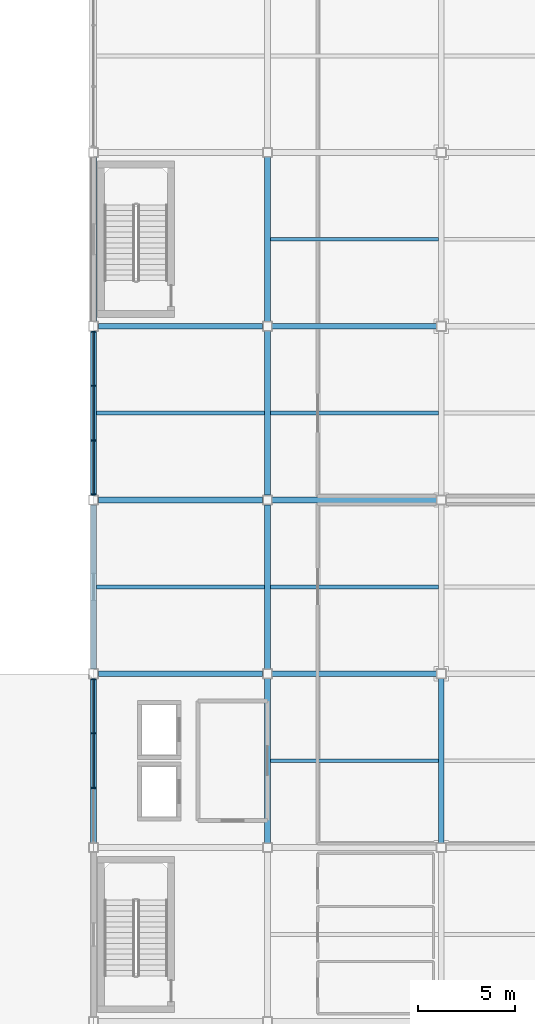
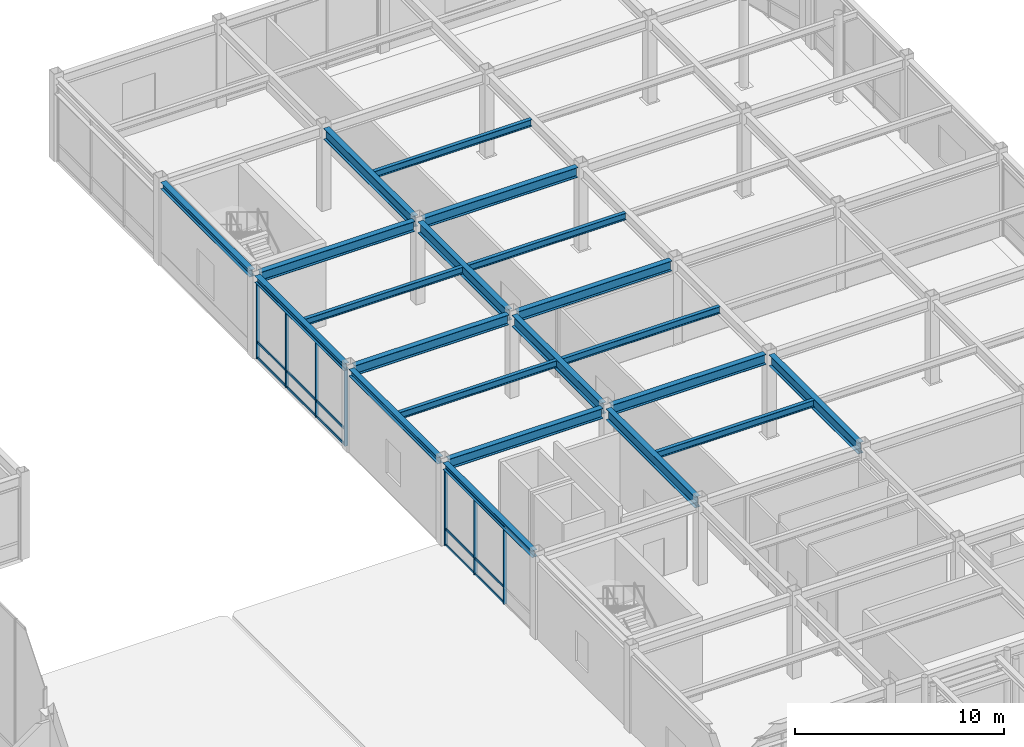
# One storey, part 60 of 123: 22 members, 21 beams, 2 elements without a shape of their own.
"""IFC4 building model written with IfcOpenShell, lengths in metres."""

from ifc_helpers import new_model, si_unit, direction, frame, origin, origin_2d, place, context, subcontext, project, spatial, rectangle, i_section, extrude, material, material_profile, profile_set, type_object, element, aggregate, save


model = new_model("IFC4")

# Units and contexts
model_context = context("Model", 3, precision=1e-05, world=origin(), true_north=direction((0.0, 1.0)))
body_context = subcontext(model_context, "Body", "Model", "MODEL_VIEW")
ifc_project = project(units=[si_unit("LENGTHUNIT", "METRE"), si_unit("AREAUNIT", "SQUARE_METRE"), si_unit("VOLUMEUNIT", "CUBIC_METRE"), si_unit("PLANEANGLEUNIT", "RADIAN"), si_unit("MASSUNIT", "GRAM", prefix="KILO")], contexts=[model_context])

# Site, building, storey
site_placement = place(None, origin())
site = spatial("IfcSite", under=ifc_project, at=site_placement, CompositionType="ELEMENT")
building_placement = place(site_placement, origin())
building = spatial("IfcBuilding", under=site, at=building_placement, Name="Suzunagisa Mobility Hub", CompositionType="ELEMENT")
storey_placement = place(building_placement, origin())
storey = spatial("IfcBuildingStorey", under=building, at=storey_placement, Name="L00", CompositionType="ELEMENT", Elevation=0.0)

# Curtain wall, members
ifc_material_1 = material(Name="Thermally Broken Anodized Aluminum and Low-E Glazing", Category="aluminium")
curtain_wall_type = type_object("IfcCurtainWallType", Name="Unitised Curtain Wall CW-47 8500x4400", PredefinedType="USERDEFINED", material=ifc_material_1)
curtain_wall_1_placement = place(storey_placement, origin())
curtain_wall_1 = element("IfcCurtainWall", 1, at=curtain_wall_1_placement, inside=storey, type_object=curtain_wall_type, Name="L00 Unitised Curtain Wall CW-181", ObjectType="UNITISED CURTAIN WALL", PredefinedType="USERDEFINED")
ifc_material_2 = material(Name="Anodized Aluminum 6063-T6", Category="aluminium")
ifc_material_profile_1 = material_profile(ifc_material_2, rectangle(XDim=0.06494140625, YDim=0.139892578125, at=origin_2d()), Name="TRAN-65x140")
ifc_profile_set_1 = profile_set([ifc_material_profile_1], Name="Anodized Aluminum 6063-T6")
member_type_1 = type_object("IfcMemberType", Name="Curtain Wall Framing CM-01 TRAN-65x140", PredefinedType="USERDEFINED", material=ifc_profile_set_1)
member_1_placement = place(storey_placement, frame((144.0, 88.68701171875, 0.032470703125), z_axis=(0.0, -1.0, 0.0), x_axis=(1.0, 0.0, 0.0)))
member_1 = element("IfcMember", 2, at=member_1_placement, type_object=member_type_1, Name="Curtain Wall Transom 181-T1.1", ObjectType="TRANSOM", PredefinedType="USERDEFINED", context=body_context, shape_type="SweptSolid", body=[
    extrude(rectangle(XDim=0.06494140625, YDim=0.139892578125, at=origin_2d()), origin(), (0.0, 0.0, 1.0), 2.73974609375),
])
member_2_placement = place(storey_placement, frame((144.0, 88.68701171875, 0.949951171875), z_axis=(0.0, -1.0, 0.0), x_axis=(1.0, 0.0, 0.0)))
member_2 = element("IfcMember", 3, at=member_2_placement, type_object=member_type_1, Name="Curtain Wall Transom 181-T1.2", ObjectType="TRANSOM", PredefinedType="USERDEFINED", context=body_context, shape_type="SweptSolid", body=[
    extrude(rectangle(XDim=0.06494140625, YDim=0.139892578125, at=origin_2d()), origin(), (0.0, 0.0, 1.0), 2.73974609375),
])
member_3_placement = place(storey_placement, frame((144.0, 88.68701171875, 4.407470703125), z_axis=(0.0, -1.0, 0.0), x_axis=(1.0, 0.0, 0.0)))
member_3 = element("IfcMember", 4, at=member_3_placement, type_object=member_type_1, Name="Curtain Wall Transom 181-T1.3", ObjectType="TRANSOM", PredefinedType="USERDEFINED", context=body_context, shape_type="SweptSolid", body=[
    extrude(rectangle(XDim=0.06494140625, YDim=0.139892578125, at=origin_2d()), origin(), (0.0, 0.0, 1.0), 2.73974609375),
])
member_4_placement = place(storey_placement, frame((144.0, 85.88623046875, 0.032470703125), z_axis=(0.0, -1.0, 0.0), x_axis=(1.0, 0.0, 0.0)))
member_4 = element("IfcMember", 5, at=member_4_placement, type_object=member_type_1, Name="Curtain Wall Transom 181-T2.1", ObjectType="TRANSOM", PredefinedType="USERDEFINED", context=body_context, shape_type="SweptSolid", body=[
    extrude(rectangle(XDim=0.06494140625, YDim=0.139892578125, at=origin_2d()), origin(), (0.0, 0.0, 1.0), 2.7724609375),
])
member_5_placement = place(storey_placement, frame((144.0, 85.88623046875, 0.949951171875), z_axis=(0.0, -1.0, 0.0), x_axis=(1.0, 0.0, 0.0)))
member_5 = element("IfcMember", 6, at=member_5_placement, type_object=member_type_1, Name="Curtain Wall Transom 181-T2.2", ObjectType="TRANSOM", PredefinedType="USERDEFINED", context=body_context, shape_type="SweptSolid", body=[
    extrude(rectangle(XDim=0.06494140625, YDim=0.139892578125, at=origin_2d()), origin(), (0.0, 0.0, 1.0), 2.7724609375),
])
member_6_placement = place(storey_placement, frame((144.0, 85.88623046875, 4.407470703125), z_axis=(0.0, -1.0, 0.0), x_axis=(1.0, 0.0, 0.0)))
member_6 = element("IfcMember", 7, at=member_6_placement, type_object=member_type_1, Name="Curtain Wall Transom 181-T2.3", ObjectType="TRANSOM", PredefinedType="USERDEFINED", context=body_context, shape_type="SweptSolid", body=[
    extrude(rectangle(XDim=0.06494140625, YDim=0.139892578125, at=origin_2d()), origin(), (0.0, 0.0, 1.0), 2.7724609375),
])
member_7_placement = place(storey_placement, frame((144.0, 83.052734375, 0.032470703125), z_axis=(0.0, -1.0, 0.0), x_axis=(1.0, 0.0, 0.0)))
member_7 = element("IfcMember", 8, at=member_7_placement, type_object=member_type_1, Name="Curtain Wall Transom 181-T3.1", ObjectType="TRANSOM", PredefinedType="USERDEFINED", context=body_context, shape_type="SweptSolid", body=[
    extrude(rectangle(XDim=0.06494140625, YDim=0.139892578125, at=origin_2d()), origin(), (0.0, 0.0, 1.0), 2.73974609375),
])
member_8_placement = place(storey_placement, frame((144.0, 83.052734375, 0.949951171875), z_axis=(0.0, -1.0, 0.0), x_axis=(1.0, 0.0, 0.0)))
member_8 = element("IfcMember", 9, at=member_8_placement, type_object=member_type_1, Name="Curtain Wall Transom 181-T3.2", ObjectType="TRANSOM", PredefinedType="USERDEFINED", context=body_context, shape_type="SweptSolid", body=[
    extrude(rectangle(XDim=0.06494140625, YDim=0.139892578125, at=origin_2d()), origin(), (0.0, 0.0, 1.0), 2.73974609375),
])
member_9_placement = place(storey_placement, frame((144.0, 83.052734375, 4.407470703125), z_axis=(0.0, -1.0, 0.0), x_axis=(1.0, 0.0, 0.0)))
member_9 = element("IfcMember", 10, at=member_9_placement, type_object=member_type_1, Name="Curtain Wall Transom 181-T3.3", ObjectType="TRANSOM", PredefinedType="USERDEFINED", context=body_context, shape_type="SweptSolid", body=[
    extrude(rectangle(XDim=0.06494140625, YDim=0.139892578125, at=origin_2d()), origin(), (0.0, 0.0, 1.0), 2.73974609375),
])

curtain_wall_2_placement = place(storey_placement, origin())
curtain_wall_2 = element("IfcCurtainWall", 11, at=curtain_wall_2_placement, inside=storey, type_object=curtain_wall_type, Name="L00 Unitised Curtain Wall CW-182", ObjectType="UNITISED CURTAIN WALL", PredefinedType="USERDEFINED")
member_10_placement = place(storey_placement, frame((144.0, 70.68701171875, 0.032470703125), z_axis=(0.0, -1.0, 0.0), x_axis=(1.0, 0.0, 0.0)))
member_10 = element("IfcMember", 12, at=member_10_placement, type_object=member_type_1, Name="Curtain Wall Transom 182-T1.1", ObjectType="TRANSOM", PredefinedType="USERDEFINED", context=body_context, shape_type="SweptSolid", body=[
    extrude(rectangle(XDim=0.06494140625, YDim=0.139892578125, at=origin_2d()), origin(), (0.0, 0.0, 1.0), 2.73974609375),
])
member_11_placement = place(storey_placement, frame((144.0, 70.68701171875, 0.949951171875), z_axis=(0.0, -1.0, 0.0), x_axis=(1.0, 0.0, 0.0)))
member_11 = element("IfcMember", 13, at=member_11_placement, type_object=member_type_1, Name="Curtain Wall Transom 182-T1.2", ObjectType="TRANSOM", PredefinedType="USERDEFINED", context=body_context, shape_type="SweptSolid", body=[
    extrude(rectangle(XDim=0.06494140625, YDim=0.139892578125, at=origin_2d()), origin(), (0.0, 0.0, 1.0), 2.73974609375),
])
member_12_placement = place(storey_placement, frame((144.0, 70.68701171875, 4.41748046875), z_axis=(0.0, -1.0, 0.0), x_axis=(1.0, 0.0, 0.0)))
member_12 = element("IfcMember", 14, at=member_12_placement, type_object=member_type_1, Name="Curtain Wall Transom 182-T1.3", ObjectType="TRANSOM", PredefinedType="USERDEFINED", context=body_context, shape_type="SweptSolid", body=[
    extrude(rectangle(XDim=0.06494140625, YDim=0.139892578125, at=origin_2d()), origin(), (0.0, 0.0, 1.0), 2.73974609375),
])
member_13_placement = place(storey_placement, frame((144.0, 67.88623046875, 0.032470703125), z_axis=(0.0, -1.0, 0.0), x_axis=(1.0, 0.0, 0.0)))
member_13 = element("IfcMember", 15, at=member_13_placement, type_object=member_type_1, Name="Curtain Wall Transom 182-T2.1", ObjectType="TRANSOM", PredefinedType="USERDEFINED", context=body_context, shape_type="SweptSolid", body=[
    extrude(rectangle(XDim=0.06494140625, YDim=0.139892578125, at=origin_2d()), origin(), (0.0, 0.0, 1.0), 2.7724609375),
])
member_14_placement = place(storey_placement, frame((144.0, 67.88623046875, 0.949951171875), z_axis=(0.0, -1.0, 0.0), x_axis=(1.0, 0.0, 0.0)))
member_14 = element("IfcMember", 16, at=member_14_placement, type_object=member_type_1, Name="Curtain Wall Transom 182-T2.2", ObjectType="TRANSOM", PredefinedType="USERDEFINED", context=body_context, shape_type="SweptSolid", body=[
    extrude(rectangle(XDim=0.06494140625, YDim=0.139892578125, at=origin_2d()), origin(), (0.0, 0.0, 1.0), 2.7724609375),
])
member_15_placement = place(storey_placement, frame((144.0, 67.88623046875, 4.41748046875), z_axis=(0.0, -1.0, 0.0), x_axis=(1.0, 0.0, 0.0)))
member_15 = element("IfcMember", 17, at=member_15_placement, type_object=member_type_1, Name="Curtain Wall Transom 182-T2.3", ObjectType="TRANSOM", PredefinedType="USERDEFINED", context=body_context, shape_type="SweptSolid", body=[
    extrude(rectangle(XDim=0.06494140625, YDim=0.139892578125, at=origin_2d()), origin(), (0.0, 0.0, 1.0), 2.7724609375),
])

# Member
ifc_material_profile_2 = material_profile(ifc_material_2, rectangle(XDim=0.06494140625, YDim=0.179931640625, at=origin_2d()), Name="MULL-65x180")
ifc_profile_set_2 = profile_set([ifc_material_profile_2], Name="Anodized Aluminum 6063-T6")
member_type_2 = type_object("IfcMemberType", Name="Curtain Wall Framing CM-04 MULL-65x180", PredefinedType="MULLION", material=ifc_profile_set_2)
member_16_placement = place(storey_placement, frame((144.0, 88.717529296875, 0.0), z_axis=(0.0, 0.0, 1.0), x_axis=(0.0, -1.0, 0.0)))
member_16 = element("IfcMember", 18, at=member_16_placement, type_object=member_type_2, Name="Curtain Wall Mullion 181-M1", PredefinedType="MULLION", context=body_context, shape_type="SweptSolid", body=[
    extrude(rectangle(XDim=0.06494140625, YDim=0.179931640625, at=origin_2d()), origin(), (0.0, 0.0, 1.0), 4.43994140625),
])

member_17_placement = place(storey_placement, frame((144.0, 85.916748046875, 0.0), z_axis=(0.0, 0.0, 1.0), x_axis=(0.0, -1.0, 0.0)))
member_17 = element("IfcMember", 19, at=member_17_placement, type_object=member_type_2, Name="Curtain Wall Mullion 181-M2", PredefinedType="MULLION", context=body_context, shape_type="SweptSolid", body=[
    extrude(rectangle(XDim=0.06494140625, YDim=0.179931640625, at=origin_2d()), origin(), (0.0, 0.0, 1.0), 4.43994140625),
])

member_18_placement = place(storey_placement, frame((144.0, 83.083251953125, 0.0), z_axis=(0.0, 0.0, 1.0), x_axis=(0.0, -1.0, 0.0)))
member_18 = element("IfcMember", 20, at=member_18_placement, type_object=member_type_2, Name="Curtain Wall Mullion 181-M3", PredefinedType="MULLION", context=body_context, shape_type="SweptSolid", body=[
    extrude(rectangle(XDim=0.06494140625, YDim=0.179931640625, at=origin_2d()), origin(), (0.0, 0.0, 1.0), 4.43994140625),
])

member_19_placement = place(storey_placement, frame((144.0, 80.282470703125, 0.0), z_axis=(0.0, 0.0, 1.0), x_axis=(0.0, -1.0, 0.0)))
member_19 = element("IfcMember", 21, at=member_19_placement, type_object=member_type_2, Name="Curtain Wall Mullion 181-M4", PredefinedType="MULLION", context=body_context, shape_type="SweptSolid", body=[
    extrude(rectangle(XDim=0.06494140625, YDim=0.179931640625, at=origin_2d()), origin(), (0.0, 0.0, 1.0), 4.43994140625),
])

aggregate(curtain_wall_1, [member_16, member_17, member_18, member_19, member_1, member_2, member_3, member_4, member_5, member_6, member_7, member_8, member_9])

member_20_placement = place(storey_placement, frame((144.0, 70.717529296875, 0.0), z_axis=(0.0, 0.0, 1.0), x_axis=(0.0, -1.0, 0.0)))
member_20 = element("IfcMember", 22, at=member_20_placement, type_object=member_type_2, Name="Curtain Wall Mullion 182-M1", PredefinedType="MULLION", context=body_context, shape_type="SweptSolid", body=[
    extrude(rectangle(XDim=0.06494140625, YDim=0.179931640625, at=origin_2d()), origin(), (0.0, 0.0, 1.0), 4.449951171875),
])

member_21_placement = place(storey_placement, frame((144.0, 67.916748046875, 0.0), z_axis=(0.0, 0.0, 1.0), x_axis=(0.0, -1.0, 0.0)))
member_21 = element("IfcMember", 23, at=member_21_placement, type_object=member_type_2, Name="Curtain Wall Mullion 182-M2", PredefinedType="MULLION", context=body_context, shape_type="SweptSolid", body=[
    extrude(rectangle(XDim=0.06494140625, YDim=0.179931640625, at=origin_2d()), origin(), (0.0, 0.0, 1.0), 4.449951171875),
])

member_22_placement = place(storey_placement, frame((144.0, 65.083251953125, 0.0), z_axis=(0.0, 0.0, 1.0), x_axis=(0.0, -1.0, 0.0)))
member_22 = element("IfcMember", 24, at=member_22_placement, type_object=member_type_2, Name="Curtain Wall Mullion 182-M3", PredefinedType="MULLION", context=body_context, shape_type="SweptSolid", body=[
    extrude(rectangle(XDim=0.06494140625, YDim=0.179931640625, at=origin_2d()), origin(), (0.0, 0.0, 1.0), 4.449951171875),
])

aggregate(curtain_wall_2, [member_20, member_21, member_22, member_10, member_11, member_12, member_13, member_14, member_15])

# Beams
ifc_material_3 = material(Name="Steel SN490B", Category="steel")
ifc_material_profile_3 = material_profile(ifc_material_3, i_section(OverallWidth=0.300048828125, OverallDepth=0.64990234375, WebThickness=0.012939453125, FlangeThickness=0.02197265625, FilletRadius=0.01611328125, at=origin_2d()), Name="H-650x300x13x22")
ifc_profile_set_3 = profile_set([ifc_material_profile_3], Name="Steel SN490B")
beam_type_1 = type_object("IfcBeamType", Name="Steel Beam BM-10 H-650x300x13x22", PredefinedType="BEAM", material=ifc_profile_set_3)
for number, where, z_axis, x_axis, name in (
    (25, (153.0, 62.24609375, 4.514892578125), (0.0, 1.0, 0.0), (-1.0, 0.0, 0.0), "L00 Primary Girder GY-1746"),
    (26, (153.0, 71.24609375, 4.514892578125), (0.0, 1.0, 0.0), (-1.0, 0.0, 0.0), "L00 Primary Girder GY-1747"),
    (27, (153.0, 80.24609375, 4.514892578125), (0.0, 1.0, 0.0), (-1.0, 0.0, 0.0), "L00 Primary Girder GY-1748"),
    (28, (153.0, 89.24609375, 4.514892578125), (0.0, 1.0, 0.0), (-1.0, 0.0, 0.0), "L00 Primary Girder GY-1749"),
    (29, (162.0, 62.24609375, 4.514892578125), (0.0, 1.0, 0.0), (-1.0, 0.0, 0.0), "L00 Primary Girder GY-1753"),
):
    element("IfcBeam", number, at=place(storey_placement, frame(where, z_axis=z_axis, x_axis=x_axis)), inside=storey, type_object=beam_type_1, Name=name, PredefinedType="BEAM", context=body_context, shape_type="SweptSolid", body=[
        extrude(i_section(OverallWidth=0.300048828125, OverallDepth=0.64990234375, WebThickness=0.012939453125, FlangeThickness=0.02197265625, FilletRadius=0.01611328125, at=origin_2d()), origin(), (0.0, 0.0, 1.0), 8.5078125),
    ])
ifc_material_profile_4 = material_profile(ifc_material_3, i_section(OverallWidth=0.300048828125, OverallDepth=0.389892578125, WebThickness=0.010009765625, FlangeThickness=0.01611328125, FilletRadius=0.012939453125, at=origin_2d()), Name="H-390x300x10x16")
ifc_profile_set_4 = profile_set([ifc_material_profile_4], Name="Steel SN490B")
beam_type_2 = type_object("IfcBeamType", Name="Steel Beam BM-13 H-390x300x10x16", PredefinedType="SPANDREL", material=ifc_profile_set_4)
for number, where, z_axis, x_axis, name in (
    (30, (144.0, 62.24609375, 4.64501953125), (0.0, 1.0, 0.0), (-1.0, 0.0, 0.0), "L00 Primary Girder GY-1739"),
    (31, (144.0, 71.24609375, 4.64501953125), (0.0, 1.0, 0.0), (-1.0, 0.0, 0.0), "L00 Primary Girder GY-1740"),
    (32, (144.0, 80.24609375, 4.64501953125), (0.0, 1.0, 0.0), (-1.0, 0.0, 0.0), "L00 Primary Girder GY-1741"),
    (33, (144.0, 89.24609375, 4.64501953125), (0.0, 1.0, 0.0), (-1.0, 0.0, 0.0), "L00 Primary Girder GY-1742"),
):
    element("IfcBeam", number, at=place(storey_placement, frame(where, z_axis=z_axis, x_axis=x_axis)), inside=storey, type_object=beam_type_2, Name=name, PredefinedType="SPANDREL", context=body_context, shape_type="SweptSolid", body=[
        extrude(i_section(OverallWidth=0.300048828125, OverallDepth=0.389892578125, WebThickness=0.010009765625, FlangeThickness=0.01611328125, FilletRadius=0.012939453125, at=origin_2d()), origin(), (0.0, 0.0, 1.0), 8.5078125),
    ])
ifc_material_4 = material(Name="Steel SN400B", Category="steel")
ifc_material_profile_5 = material_profile(ifc_material_4, i_section(OverallWidth=0.199951171875, OverallDepth=0.39990234375, WebThickness=0.008056640625, FlangeThickness=0.012939453125, FilletRadius=0.012939453125, at=origin_2d()), Name="H-400x200x8x13")
ifc_profile_set_5 = profile_set([ifc_material_profile_5], Name="Steel SN400B")
beam_type_3 = type_object("IfcBeamType", Name="Steel Beam BM-14 H-400x200x8x13", PredefinedType="JOIST", material=ifc_profile_set_5)
for number, where, z_axis, x_axis, name in (
    (34, (144.14990234375, 75.5, 4.639892578125), (1.0, 0.0, 0.0), (0.0, 1.0, 0.0), "L00 Composite Floor Joist J-1773"),
    (35, (144.14990234375, 84.5, 4.639892578125), (1.0, 0.0, 0.0), (0.0, 1.0, 0.0), "L00 Composite Floor Joist J-1774"),
    (36, (153.14990234375, 66.5, 4.639892578125), (1.0, 0.0, 0.0), (0.0, 1.0, 0.0), "L00 Composite Floor Joist J-1778"),
    (37, (153.14990234375, 75.5, 4.639892578125), (1.0, 0.0, 0.0), (0.0, 1.0, 0.0), "L00 Composite Floor Joist J-1779"),
    (38, (153.14990234375, 84.5, 4.639892578125), (1.0, 0.0, 0.0), (0.0, 1.0, 0.0), "L00 Composite Floor Joist J-1780"),
    (39, (153.14990234375, 93.5, 4.639892578125), (1.0, 0.0, 0.0), (0.0, 1.0, 0.0), "L00 Composite Floor Joist J-1781"),
):
    element("IfcBeam", number, at=place(storey_placement, frame(where, z_axis=z_axis, x_axis=x_axis)), inside=storey, type_object=beam_type_3, Name=name, PredefinedType="JOIST", context=body_context, shape_type="SweptSolid", body=[
        extrude(i_section(OverallWidth=0.199951171875, OverallDepth=0.39990234375, WebThickness=0.008056640625, FlangeThickness=0.012939453125, FilletRadius=0.012939453125, at=origin_2d()), origin(), (0.0, 0.0, 1.0), 8.7001953125),
    ])
ifc_material_profile_6 = material_profile(ifc_material_3, i_section(OverallWidth=0.300048828125, OverallDepth=0.587890625, WebThickness=0.011962890625, FlangeThickness=0.02001953125, FilletRadius=0.012939453125, at=origin_2d()), Name="H-588x300x12x20")
ifc_profile_set_6 = profile_set([ifc_material_profile_6], Name="Steel SN490B")
beam_type_4 = type_object("IfcBeamType", Name="Steel Beam BM-16 H-588x300x12x20", PredefinedType="BEAM", material=ifc_profile_set_6)
for number, where, z_axis, x_axis, name in (
    (40, (144.24609375, 71.0, 4.5458984375), (1.0, 0.0, 0.0), (0.0, 1.0, 0.0), "L00 Primary Girder GX-1718"),
    (41, (153.24609375, 71.0, 4.5458984375), (1.0, 0.0, 0.0), (0.0, 1.0, 0.0), "L00 Primary Girder GX-1719"),
    (42, (144.24609375, 80.0, 4.5458984375), (1.0, 0.0, 0.0), (0.0, 1.0, 0.0), "L00 Primary Girder GX-1722"),
    (43, (153.24609375, 80.0, 4.5458984375), (1.0, 0.0, 0.0), (0.0, 1.0, 0.0), "L00 Primary Girder GX-1723"),
    (44, (144.24609375, 89.0, 4.5458984375), (1.0, 0.0, 0.0), (0.0, 1.0, 0.0), "L00 Primary Girder GX-1726"),
    (45, (153.24609375, 89.0, 4.5458984375), (1.0, 0.0, 0.0), (0.0, 1.0, 0.0), "L00 Primary Girder GX-1727"),
):
    element("IfcBeam", number, at=place(storey_placement, frame(where, z_axis=z_axis, x_axis=x_axis)), inside=storey, type_object=beam_type_4, Name=name, PredefinedType="BEAM", context=body_context, shape_type="SweptSolid", body=[
        extrude(i_section(OverallWidth=0.300048828125, OverallDepth=0.587890625, WebThickness=0.011962890625, FlangeThickness=0.02001953125, FilletRadius=0.012939453125, at=origin_2d()), origin(), (0.0, 0.0, 1.0), 8.5078125),
    ])

save(model, "model.ifc")
